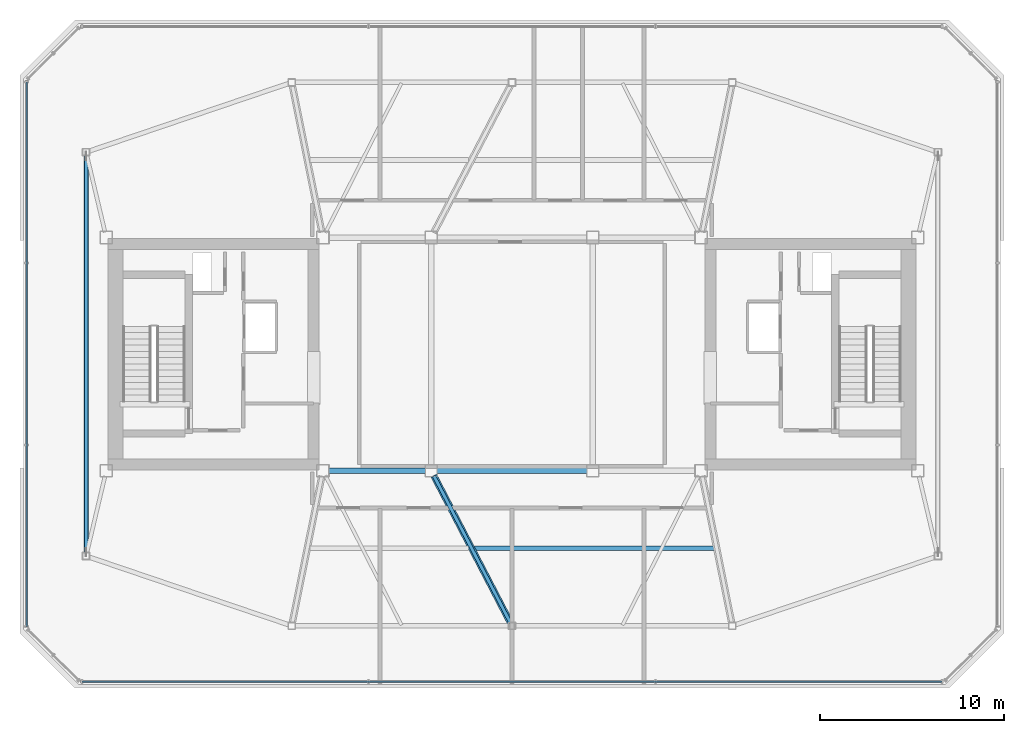
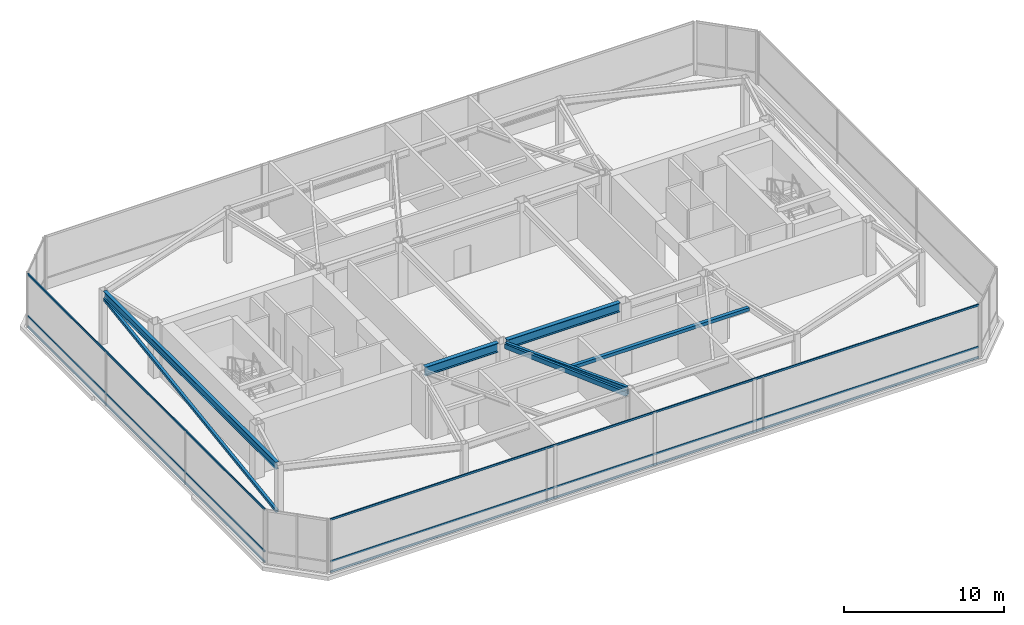
# One storey, part 5 of 21: 9 members, 4 beams, 2 elements without a shape of their own.
"""IFC4 building model written with IfcOpenShell, lengths in metres."""

from ifc_helpers import new_model, si_unit, direction, frame, origin, origin_2d, place, context, subcontext, project, spatial, hollow_rectangle, i_section, extrude, material, layer, layer_set, material_profile, profile_set, type_object, element, aggregate, save


model = new_model("IFC4")

# Units and contexts
model_context = context("Model", 3, precision=1e-05, world=origin(), true_north=direction((0.0, 1.0)))
body_context = subcontext(model_context, "Body", "Model", "MODEL_VIEW")
ifc_project = project(units=[si_unit("LENGTHUNIT", "METRE"), si_unit("AREAUNIT", "SQUARE_METRE"), si_unit("VOLUMEUNIT", "CUBIC_METRE"), si_unit("PLANEANGLEUNIT", "RADIAN"), si_unit("MASSUNIT", "GRAM", prefix="KILO")], contexts=[model_context])

# Site, building, storey
site_placement = place(None, origin())
site = spatial("IfcSite", under=ifc_project, at=site_placement, CompositionType="ELEMENT")
building_placement = place(site_placement, origin())
building = spatial("IfcBuilding", under=site, at=building_placement, Name="Tavrogorsk Clinical Tower", CompositionType="ELEMENT")
storey_placement = place(building_placement, frame((0.0, 0.0, 344.199951171875)))
storey = spatial("IfcBuildingStorey", under=building, at=storey_placement, Name="L80", CompositionType="ELEMENT", Elevation=344.199951171875)

# Members
ifc_material_1 = material(Name="Structural steel S355", Category="steel")
ifc_material_profile_1 = material_profile(ifc_material_1, hollow_rectangle(XDim=0.199951171875, YDim=0.199951171875, WallThickness=0.010009765625, at=origin_2d()), Name="SHS-200x200x10")
ifc_profile_set_1 = profile_set([ifc_material_profile_1], Name="Structural steel S355")
member_type_1 = type_object("IfcMemberType", Name="CrownBrace_SHS200", PredefinedType="BRACE", material=ifc_profile_set_1)
member_1_placement = place(storey_placement, frame((-23.199951171875, -10.792236328125, 0.329833984375), z_axis=(0.0, 0.989903983744, 0.141739560346), x_axis=(-1.0, 0.0, 0.0)))
element("IfcMember", 1, at=member_1_placement, inside=storey, type_object=member_type_1, Name="L80 Crown Drum Brace 1", PredefinedType="BRACE", context=body_context, shape_type="SweptSolid", body=[
    extrude(hollow_rectangle(XDim=0.199951171875, YDim=0.199951171875, WallThickness=0.010009765625, at=origin_2d()), origin(), (0.0, 0.0, 1.0), 21.8046875),
])
ifc_material_2 = material(Name="Structural steel S355", Category="steel")
ifc_material_profile_2 = material_profile(ifc_material_2, hollow_rectangle(XDim=0.25, YDim=0.25, WallThickness=0.012451171875, at=origin_2d()), Name="SHS-250x250x12.5")
ifc_profile_set_2 = profile_set([ifc_material_profile_2], Name="Structural steel S355")
member_type_2 = type_object("IfcMemberType", Name="CrownFacetPurlin_SHS250", PredefinedType="PURLIN", material=ifc_profile_set_2)
member_2_placement = place(storey_placement, frame((-2.0400390625, -10.574951171875, 3.72998046875), z_axis=(1.0, 0.0, 0.0), x_axis=(0.0, 1.0, 0.0)))
element("IfcMember", 2, at=member_2_placement, inside=storey, type_object=member_type_2, Name="L80 Crown Facet Purlin S-2", PredefinedType="PURLIN", context=body_context, shape_type="SweptSolid", body=[
    extrude(hollow_rectangle(XDim=0.25, YDim=0.25, WallThickness=0.012451171875, at=origin_2d()), origin(), (0.0, 0.0, 1.0), 13.030029296875),
])
ifc_material_3 = material(Name="Structural steel S390", Category="steel")
ifc_material_profile_3 = material_profile(ifc_material_3, hollow_rectangle(XDim=0.35009765625, YDim=0.35009765625, WallThickness=0.01611328125, at=origin_2d()), Name="SHS-350x350x16")
ifc_profile_set_3 = profile_set([ifc_material_profile_3], Name="Structural steel S390")
member_type_3 = type_object("IfcMemberType", Name="CrownFacetRafter_SHS350", PredefinedType="RAFTER", material=ifc_profile_set_3)
member_3_placement = place(storey_placement, frame((-4.2568359375, -6.624755859375, 3.870361328125), z_axis=(0.461609796576, -0.886524618116, -0.031472165167), x_axis=(0.886963994611, 0.461838578146, 0.0)))
element("IfcMember", 3, at=member_3_placement, inside=storey, type_object=member_type_3, Name="L80 Sloped Facet Rafter S-2", PredefinedType="RAFTER", context=body_context, shape_type="SweptSolid", body=[
    extrude(hollow_rectangle(XDim=0.35009765625, YDim=0.35009765625, WallThickness=0.01611328125, at=origin_2d()), origin(), (0.0, 0.0, 1.0), 9.021728515625),
])

# Curtain wall, members
ifc_material_4 = material(Name="Anodised aluminium and triple IGU glazing", Category="aluminium")
ifc_layer = layer(ifc_material_4, 0.179931640625)
ifc_layer_set = layer_set([ifc_layer], Name="Anodised aluminium and triple IGU glazing")
curtain_wall_type = type_object("IfcCurtainWallType", Name="CW5_SkyLobby", PredefinedType="NOTDEFINED", material=ifc_layer_set)
curtain_wall_1_placement = place(storey_placement, origin())
curtain_wall_1 = element("IfcCurtainWall", 4, at=curtain_wall_1_placement, inside=storey, type_object=curtain_wall_type, Name="L80 Curtain Wall CW-L80-DRUM-2", PredefinedType="NOTDEFINED")
ifc_material_5 = material(Name="Anodised aluminium alloy AW-6060", Category="aluminium")
ifc_material_profile_4 = material_profile(ifc_material_5, hollow_rectangle(XDim=0.074951171875, YDim=0.14990234375, WallThickness=0.0048828125, at=origin_2d()), Name="RHS-150x75x5")
ifc_profile_set_4 = profile_set([ifc_material_profile_4], Name="Anodised aluminium alloy AW-6060")
member_type_4 = type_object("IfcMemberType", Name="CwTransom_150x75", PredefinedType="USERDEFINED", material=ifc_profile_set_4)
member_4_placement = place(storey_placement, frame((-26.43994140625, -14.82861328125, 0.050048828125), z_axis=(0.0, 1.0, 0.0), x_axis=(-1.0, 0.0, 0.0)))
member_4 = element("IfcMember", 5, at=member_4_placement, type_object=member_type_4, Name="CW-L80-DRUM-2 Transom 1", ObjectType="TRANSOM", PredefinedType="USERDEFINED", context=body_context, shape_type="SweptSolid", body=[
    extrude(hollow_rectangle(XDim=0.074951171875, YDim=0.14990234375, WallThickness=0.0048828125, at=origin_2d()), origin(), (0.0, 0.0, 1.0), 29.6572265625),
])
member_5_placement = place(storey_placement, frame((-26.43994140625, -14.82861328125, 0.85009765625), z_axis=(0.0, 1.0, 0.0), x_axis=(-1.0, 0.0, 0.0)))
member_5 = element("IfcMember", 6, at=member_5_placement, type_object=member_type_4, Name="CW-L80-DRUM-2 Transom 2", ObjectType="TRANSOM", PredefinedType="USERDEFINED", context=body_context, shape_type="SweptSolid", body=[
    extrude(hollow_rectangle(XDim=0.074951171875, YDim=0.14990234375, WallThickness=0.0048828125, at=origin_2d()), origin(), (0.0, 0.0, 1.0), 29.6572265625),
])
member_6_placement = place(storey_placement, frame((-26.43994140625, -14.82861328125, 4.050048828125), z_axis=(0.0, 1.0, 0.0), x_axis=(-1.0, 0.0, 0.0)))
member_6 = element("IfcMember", 7, at=member_6_placement, type_object=member_type_4, Name="CW-L80-DRUM-2 Transom 3", ObjectType="TRANSOM", PredefinedType="USERDEFINED", context=body_context, shape_type="SweptSolid", body=[
    extrude(hollow_rectangle(XDim=0.074951171875, YDim=0.14990234375, WallThickness=0.0048828125, at=origin_2d()), origin(), (0.0, 0.0, 1.0), 29.6572265625),
])
aggregate(curtain_wall_1, [member_4, member_5, member_6])

curtain_wall_2_placement = place(storey_placement, origin())
curtain_wall_2 = element("IfcCurtainWall", 8, at=curtain_wall_2_placement, inside=storey, type_object=curtain_wall_type, Name="L80 Curtain Wall CW-L80-DRUM-8", PredefinedType="NOTDEFINED")
member_7_placement = place(storey_placement, frame((23.4287109375, -17.840087890625, 0.050048828125), z_axis=(-1.0, 0.0, 0.0), x_axis=(0.0, -1.0, 0.0)))
member_7 = element("IfcMember", 9, at=member_7_placement, type_object=member_type_4, Name="CW-L80-DRUM-8 Transom 1", ObjectType="TRANSOM", PredefinedType="USERDEFINED", context=body_context, shape_type="SweptSolid", body=[
    extrude(hollow_rectangle(XDim=0.074951171875, YDim=0.14990234375, WallThickness=0.0048828125, at=origin_2d()), origin(), (0.0, 0.0, 1.0), 46.857421875),
])
member_8_placement = place(storey_placement, frame((23.4287109375, -17.840087890625, 0.85009765625), z_axis=(-1.0, 0.0, 0.0), x_axis=(0.0, -1.0, 0.0)))
member_8 = element("IfcMember", 10, at=member_8_placement, type_object=member_type_4, Name="CW-L80-DRUM-8 Transom 2", ObjectType="TRANSOM", PredefinedType="USERDEFINED", context=body_context, shape_type="SweptSolid", body=[
    extrude(hollow_rectangle(XDim=0.074951171875, YDim=0.14990234375, WallThickness=0.0048828125, at=origin_2d()), origin(), (0.0, 0.0, 1.0), 46.857421875),
])
member_9_placement = place(storey_placement, frame((23.4287109375, -17.840087890625, 4.050048828125), z_axis=(-1.0, 0.0, 0.0), x_axis=(0.0, -1.0, 0.0)))
member_9 = element("IfcMember", 11, at=member_9_placement, type_object=member_type_4, Name="CW-L80-DRUM-8 Transom 3", ObjectType="TRANSOM", PredefinedType="USERDEFINED", context=body_context, shape_type="SweptSolid", body=[
    extrude(hollow_rectangle(XDim=0.074951171875, YDim=0.14990234375, WallThickness=0.0048828125, at=origin_2d()), origin(), (0.0, 0.0, 1.0), 46.857421875),
])
aggregate(curtain_wall_2, [member_7, member_8, member_9])

# Beams
ifc_material_6 = material(Name="Structural steel S355", Category="steel")
ifc_material_profile_5 = material_profile(ifc_material_6, i_section(OverallWidth=0.199951171875, OverallDepth=0.449951171875, WebThickness=0.011474609375, FlangeThickness=0.01806640625, at=origin_2d()), Name="B-450x200x11.5x18")
ifc_profile_set_5 = profile_set([ifc_material_profile_5], Name="Structural steel S355")
beam_type_1 = type_object("IfcBeamType", Name="FloorBeam_B450", PredefinedType="BEAM", material=ifc_profile_set_5)
beam_1_placement = place(storey_placement, frame((-4.2568359375, -6.625, 3.875), z_axis=(0.461855081218, -0.886955401332, 0.0), x_axis=(0.886955401332, 0.461855081218, 0.0)))
element("IfcBeam", 12, at=beam_1_placement, inside=storey, type_object=beam_type_1, Name="L80 Crown Radial Beam 02", PredefinedType="BEAM", context=body_context, shape_type="SweptSolid", body=[
    extrude(i_section(OverallWidth=0.199951171875, OverallDepth=0.449951171875, WebThickness=0.011474609375, FlangeThickness=0.01806640625, at=origin_2d()), origin(), (0.0, 0.0, 1.0), 9.027099609375),
])
ifc_material_7 = material(Name="Structural steel S390", Category="steel")
ifc_material_profile_6 = material_profile(ifc_material_7, i_section(OverallWidth=0.300048828125, OverallDepth=0.699951171875, WebThickness=0.01708984375, FlangeThickness=0.028076171875, at=origin_2d()), Name="B-700x300x17x28")
ifc_profile_set_6 = profile_set([ifc_material_profile_6], Name="Structural steel S390")
beam_type_2 = type_object("IfcBeamType", Name="PrimaryGirder_B700", PredefinedType="USERDEFINED", material=ifc_profile_set_6)
beam_2_placement = place(storey_placement, frame((-9.989990234375, -6.35009765625, 3.75), z_axis=(1.0, 0.0, 0.0), x_axis=(0.0, 1.0, 0.0)))
element("IfcBeam", 13, at=beam_2_placement, inside=storey, type_object=beam_type_2, Name="L80 Primary Spine Girder MG-01", ObjectType="GIRDER", PredefinedType="USERDEFINED", context=body_context, shape_type="SweptSolid", body=[
    extrude(i_section(OverallWidth=0.300048828125, OverallDepth=0.699951171875, WebThickness=0.01708984375, FlangeThickness=0.028076171875, at=origin_2d()), origin(), (0.0, 0.0, 1.0), 5.280029296875),
])
beam_3_placement = place(storey_placement, frame((-4.090087890625, -6.35009765625, 3.75), z_axis=(1.0, 0.0, 0.0), x_axis=(0.0, 1.0, 0.0)))
element("IfcBeam", 14, at=beam_3_placement, inside=storey, type_object=beam_type_2, Name="L80 Primary Spine Girder MG-03", ObjectType="GIRDER", PredefinedType="USERDEFINED", context=body_context, shape_type="SweptSolid", body=[
    extrude(i_section(OverallWidth=0.300048828125, OverallDepth=0.699951171875, WebThickness=0.01708984375, FlangeThickness=0.028076171875, at=origin_2d()), origin(), (0.0, 0.0, 1.0), 8.18017578125),
])
ifc_material_8 = material(Name="Structural steel S390", Category="steel")
ifc_material_profile_7 = material_profile(ifc_material_8, i_section(OverallWidth=0.239990234375, OverallDepth=0.550048828125, WebThickness=0.013916015625, FlangeThickness=0.02197265625, at=origin_2d()), Name="B-550x240x14x22")
ifc_profile_set_7 = profile_set([ifc_material_profile_7], Name="Structural steel S390")
beam_type_3 = type_object("IfcBeamType", Name="SpandrelBeam_B550", PredefinedType="SPANDREL", material=ifc_profile_set_7)
beam_4_placement = place(storey_placement, frame((-23.199951171875, 10.81005859375, 3.824951171875), z_axis=(0.0, -1.0, 0.0), x_axis=(1.0, 0.0, 0.0)))
element("IfcBeam", 15, at=beam_4_placement, inside=storey, type_object=beam_type_3, Name="L80 Crown Spandrel Beam 09", PredefinedType="SPANDREL", context=body_context, shape_type="SweptSolid", body=[
    extrude(i_section(OverallWidth=0.239990234375, OverallDepth=0.550048828125, WebThickness=0.013916015625, FlangeThickness=0.02197265625, at=origin_2d()), origin(), (0.0, 0.0, 1.0), 21.6201171875),
])

save(model, "model.ifc")
